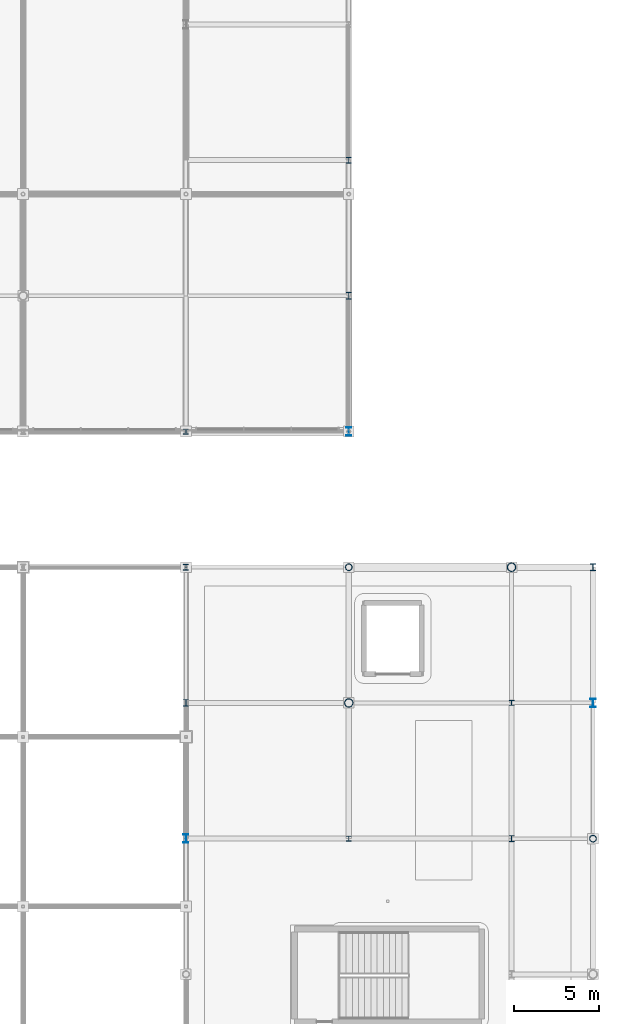
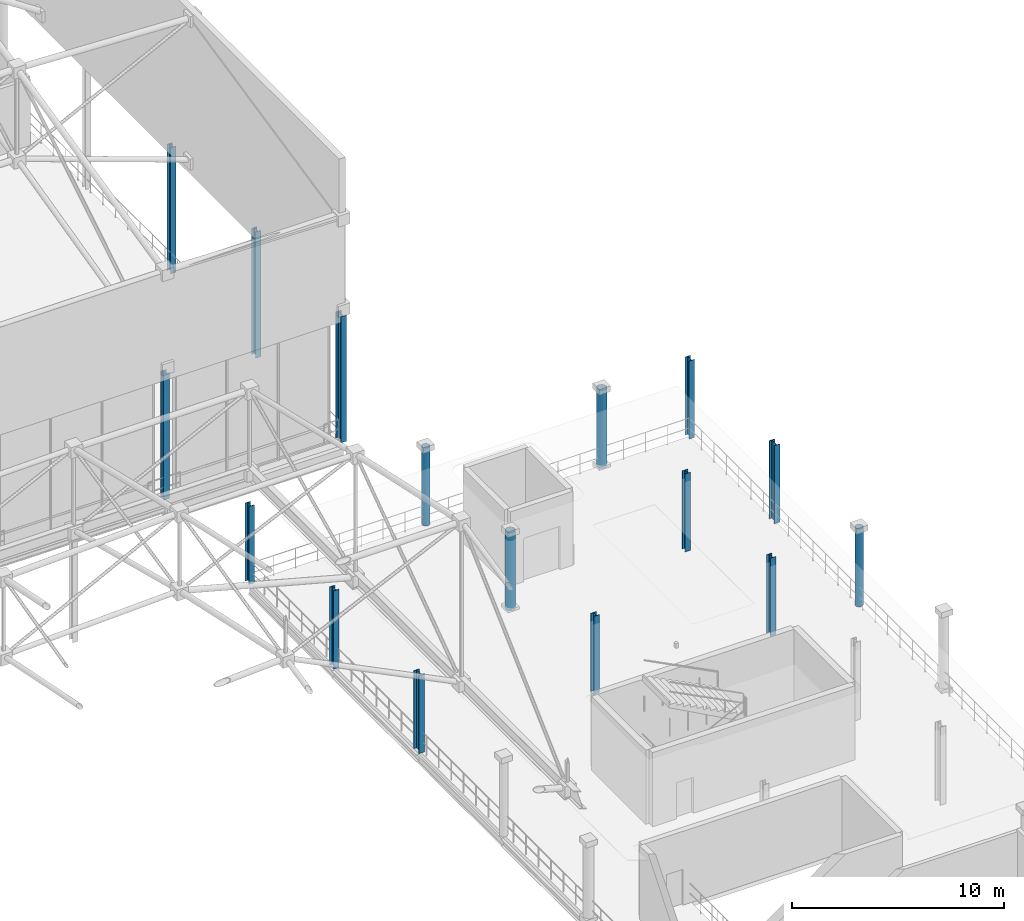
# One storey, part 19 of 193: 16 columns.
"""IFC4 building model written with IfcOpenShell, lengths in metres."""

from ifc_helpers import new_model, si_unit, direction, frame, origin, origin_2d, place, context, subcontext, project, spatial, hollow_circle, i_section, extrude, material, material_profile, profile_set, type_object, element, save


model = new_model("IFC4")

# Units and contexts
model_context = context("Model", 3, precision=1e-05, world=origin(), true_north=direction((0.0, 1.0)))
body_context = subcontext(model_context, "Body", "Model", "MODEL_VIEW")
ifc_project = project(units=[si_unit("LENGTHUNIT", "METRE"), si_unit("AREAUNIT", "SQUARE_METRE"), si_unit("VOLUMEUNIT", "CUBIC_METRE"), si_unit("PLANEANGLEUNIT", "RADIAN"), si_unit("MASSUNIT", "GRAM", prefix="KILO")], contexts=[model_context])

# Site, building, storey
site_placement = place(None, origin())
site = spatial("IfcSite", under=ifc_project, at=site_placement, CompositionType="ELEMENT")
building_placement = place(site_placement, origin())
building = spatial("IfcBuilding", under=site, at=building_placement, Name="Danafjord Basin Convention Centre", CompositionType="ELEMENT")
storey_placement = place(building_placement, frame((0.0, 0.0, 11.39990234375)))
storey = spatial("IfcBuildingStorey", under=building, at=storey_placement, Name="L02", CompositionType="ELEMENT", Elevation=11.39990234375)

# Columns
ifc_material = material(Name="Steel S355", Category="steel")
ifc_material_profile_1 = material_profile(ifc_material, hollow_circle(Radius=0.203125, WallThickness=0.02001953125, at=origin_2d()), Name="CHS 406.4x20.0")
ifc_profile_set_1 = profile_set([ifc_material_profile_1], Name="Steel S355")
column_type_1 = type_object("IfcColumnType", Name="COL-C-CHS406", PredefinedType="COLUMN", material=ifc_profile_set_1)
for number, where, z_axis, x_axis, name in (
    (1, (201.60009765625, 80.0, 0.0), (0.0, 0.0, 1.0), (1.0, 0.0, 0.0), "L02 column C-CHS406 at (201.6, 80.0)"),
    (2, (216.0, 64.0, 0.0), (0.0, 0.0, 1.0), (1.0, 0.0, 0.0), "L02 column C-CHS406 at (216.0, 64.0)"),
):
    element("IfcColumn", number, at=place(storey_placement, frame(where, z_axis=z_axis, x_axis=x_axis)), inside=storey, type_object=column_type_1, Name=name, PredefinedType="COLUMN", context=body_context, shape_type="SweptSolid", body=[
        extrude(hollow_circle(Radius=0.203125, WallThickness=0.02001953125, at=origin_2d()), origin(), (0.0, 0.0, 1.0), 4.5),
    ])
ifc_material_profile_2 = material_profile(ifc_material, hollow_circle(Radius=0.25390625, WallThickness=0.02490234375, at=origin_2d()), Name="CHS 508.0x25.0")
ifc_profile_set_2 = profile_set([ifc_material_profile_2], Name="Steel S355")
column_type_2 = type_object("IfcColumnType", Name="COL-C-CHS508", PredefinedType="COLUMN", material=ifc_profile_set_2)
for number, where, z_axis, x_axis, name in (
    (3, (201.60009765625, 72.0, 0.0), (0.0, 0.0, 1.0), (1.0, 0.0, 0.0), "L02 column C-CHS508 at (201.6, 72.0)"),
    (4, (211.199951171875, 80.0, 0.0), (0.0, 0.0, 1.0), (1.0, 0.0, 0.0), "L02 column C-CHS508 at (211.2, 80.0)"),
):
    element("IfcColumn", number, at=place(storey_placement, frame(where, z_axis=z_axis, x_axis=x_axis)), inside=storey, type_object=column_type_2, Name=name, PredefinedType="COLUMN", context=body_context, shape_type="SweptSolid", body=[
        extrude(hollow_circle(Radius=0.25390625, WallThickness=0.02490234375, at=origin_2d()), origin(), (0.0, 0.0, 1.0), 4.5),
    ])
ifc_material_profile_3 = material_profile(ifc_material, i_section(OverallWidth=0.300048828125, OverallDepth=0.300048828125, WebThickness=0.010986328125, FlangeThickness=0.01904296875, FilletRadius=0.027099609375, at=origin_2d()), Name="HEB 300")
ifc_profile_set_3 = profile_set([ifc_material_profile_3], Name="Steel S355")
column_type_3 = type_object("IfcColumnType", Name="COL-C-HEB300", PredefinedType="COLUMN", material=ifc_profile_set_3)
column_1_placement = place(storey_placement, frame((192.0, 88.0, 0.0), z_axis=(0.0, 0.0, 1.0), x_axis=(1.0, 0.0, 0.0)))
element("IfcColumn", 5, at=column_1_placement, inside=storey, type_object=column_type_3, Name="L02 column C-HEB300 at (192.0, 88.0)", PredefinedType="COLUMN", context=body_context, shape_type="SweptSolid", body=[
    extrude(i_section(OverallWidth=0.300048828125, OverallDepth=0.300048828125, WebThickness=0.010986328125, FlangeThickness=0.01904296875, FilletRadius=0.027099609375, at=origin_2d()), origin(), (0.0, 0.0, 1.0), 7.27001953125),
])
for number, where, z_axis, x_axis, name in (
    (6, (201.60009765625, 64.0, 0.0), (0.0, 0.0, 1.0), (1.0, 0.0, 0.0), "L02 column C-HEB300 at (201.6, 64.0)"),
    (7, (211.199951171875, 72.0, 0.0), (0.0, 0.0, 1.0), (1.0, 0.0, 0.0), "L02 column C-HEB300 at (211.2, 72.0)"),
):
    element("IfcColumn", number, at=place(storey_placement, frame(where, z_axis=z_axis, x_axis=x_axis)), inside=storey, type_object=column_type_3, Name=name, PredefinedType="COLUMN", context=body_context, shape_type="SweptSolid", body=[
        extrude(i_section(OverallWidth=0.300048828125, OverallDepth=0.300048828125, WebThickness=0.010986328125, FlangeThickness=0.01904296875, FilletRadius=0.027099609375, at=origin_2d()), origin(), (0.0, 0.0, 1.0), 4.5),
    ])
ifc_material_profile_4 = material_profile(ifc_material, i_section(OverallWidth=0.300048828125, OverallDepth=0.360107421875, WebThickness=0.012451171875, FlangeThickness=0.0224609375, FilletRadius=0.027099609375, at=origin_2d()), Name="HEB 360")
ifc_profile_set_4 = profile_set([ifc_material_profile_4], Name="Steel S355")
column_type_4 = type_object("IfcColumnType", Name="COL-C-HEB360", PredefinedType="COLUMN", material=ifc_profile_set_4)
column_2_placement = place(storey_placement, frame((192.0, 80.0, 0.0), z_axis=(0.0, 0.0, 1.0), x_axis=(1.0, 0.0, 0.0)))
element("IfcColumn", 8, at=column_2_placement, inside=storey, type_object=column_type_4, Name="L02 column C-HEB360 at (192.0, 80.0)", PredefinedType="COLUMN", context=body_context, shape_type="SweptSolid", body=[
    extrude(i_section(OverallWidth=0.300048828125, OverallDepth=0.360107421875, WebThickness=0.012451171875, FlangeThickness=0.0224609375, FilletRadius=0.027099609375, at=origin_2d()), origin(), (0.0, 0.0, 1.0), 4.5),
])
column_3_placement = place(storey_placement, frame((201.60009765625, 104.0, 0.0), z_axis=(0.0, 0.0, 1.0), x_axis=(1.0, 0.0, 0.0)))
element("IfcColumn", 9, at=column_3_placement, inside=storey, type_object=column_type_4, Name="L02 column C-HEB360 at (201.6, 104.0)", PredefinedType="COLUMN", context=body_context, shape_type="SweptSolid", body=[
    extrude(i_section(OverallWidth=0.300048828125, OverallDepth=0.360107421875, WebThickness=0.012451171875, FlangeThickness=0.0224609375, FilletRadius=0.027099609375, at=origin_2d()), origin(), (0.0, 0.0, 1.0), 7.27001953125),
])
column_4_placement = place(storey_placement, frame((211.199951171875, 64.0, 0.0), z_axis=(0.0, 0.0, 1.0), x_axis=(1.0, 0.0, 0.0)))
element("IfcColumn", 10, at=column_4_placement, inside=storey, type_object=column_type_4, Name="L02 column C-HEB360 at (211.2, 64.0)", PredefinedType="COLUMN", context=body_context, shape_type="SweptSolid", body=[
    extrude(i_section(OverallWidth=0.300048828125, OverallDepth=0.360107421875, WebThickness=0.012451171875, FlangeThickness=0.0224609375, FilletRadius=0.027099609375, at=origin_2d()), origin(), (0.0, 0.0, 1.0), 4.5),
])
ifc_material_profile_5 = material_profile(ifc_material, i_section(OverallWidth=0.300048828125, OverallDepth=0.39990234375, WebThickness=0.013427734375, FlangeThickness=0.02392578125, FilletRadius=0.027099609375, at=origin_2d()), Name="HEB 400")
ifc_profile_set_5 = profile_set([ifc_material_profile_5], Name="Steel S355")
column_type_5 = type_object("IfcColumnType", Name="COL-C-HEB400", PredefinedType="COLUMN", material=ifc_profile_set_5)
column_5_placement = place(storey_placement, frame((192.0, 72.0, 0.0), z_axis=(0.0, 0.0, 1.0), x_axis=(1.0, 0.0, 0.0)))
element("IfcColumn", 11, at=column_5_placement, inside=storey, type_object=column_type_5, Name="L02 column C-HEB400 at (192.0, 72.0)", PredefinedType="COLUMN", context=body_context, shape_type="SweptSolid", body=[
    extrude(i_section(OverallWidth=0.300048828125, OverallDepth=0.39990234375, WebThickness=0.013427734375, FlangeThickness=0.02392578125, FilletRadius=0.027099609375, at=origin_2d()), origin(), (0.0, 0.0, 1.0), 4.5),
])
column_6_placement = place(storey_placement, frame((201.60009765625, 96.0, 0.0), z_axis=(0.0, 0.0, 1.0), x_axis=(1.0, 0.0, 0.0)))
element("IfcColumn", 12, at=column_6_placement, inside=storey, type_object=column_type_5, Name="L02 column C-HEB400 at (201.6, 96.0)", PredefinedType="COLUMN", context=body_context, shape_type="SweptSolid", body=[
    extrude(i_section(OverallWidth=0.300048828125, OverallDepth=0.39990234375, WebThickness=0.013427734375, FlangeThickness=0.02392578125, FilletRadius=0.027099609375, at=origin_2d()), origin(), (0.0, 0.0, 1.0), 7.27001953125),
])
column_7_placement = place(storey_placement, frame((216.0, 80.0, 0.0), z_axis=(0.0, 0.0, 1.0), x_axis=(1.0, 0.0, 0.0)))
element("IfcColumn", 13, at=column_7_placement, inside=storey, type_object=column_type_5, Name="L02 column C-HEB400 at (216.0, 80.0)", PredefinedType="COLUMN", context=body_context, shape_type="SweptSolid", body=[
    extrude(i_section(OverallWidth=0.300048828125, OverallDepth=0.39990234375, WebThickness=0.013427734375, FlangeThickness=0.02392578125, FilletRadius=0.027099609375, at=origin_2d()), origin(), (0.0, 0.0, 1.0), 4.5),
])
ifc_material_profile_6 = material_profile(ifc_material, i_section(OverallWidth=0.300048828125, OverallDepth=0.5, WebThickness=0.014404296875, FlangeThickness=0.028076171875, FilletRadius=0.027099609375, at=origin_2d()), Name="HEB 500")
ifc_profile_set_6 = profile_set([ifc_material_profile_6], Name="Steel S355")
column_type_6 = type_object("IfcColumnType", Name="COL-C-HEB500", PredefinedType="COLUMN", material=ifc_profile_set_6)
column_8_placement = place(storey_placement, frame((192.0, 64.0, 0.0), z_axis=(0.0, 0.0, 1.0), x_axis=(1.0, 0.0, 0.0)))
element("IfcColumn", 14, at=column_8_placement, inside=storey, type_object=column_type_6, Name="L02 column C-HEB500 at (192.0, 64.0)", PredefinedType="COLUMN", context=body_context, shape_type="SweptSolid", body=[
    extrude(i_section(OverallWidth=0.300048828125, OverallDepth=0.5, WebThickness=0.014404296875, FlangeThickness=0.028076171875, FilletRadius=0.027099609375, at=origin_2d()), origin(), (0.0, 0.0, 1.0), 4.5),
])
column_9_placement = place(storey_placement, frame((201.60009765625, 88.0, 0.0), z_axis=(0.0, 0.0, 1.0), x_axis=(1.0, 0.0, 0.0)))
element("IfcColumn", 15, at=column_9_placement, inside=storey, type_object=column_type_6, Name="L02 column C-HEB500 at (201.6, 88.0)", PredefinedType="COLUMN", context=body_context, shape_type="SweptSolid", body=[
    extrude(i_section(OverallWidth=0.300048828125, OverallDepth=0.5, WebThickness=0.014404296875, FlangeThickness=0.028076171875, FilletRadius=0.027099609375, at=origin_2d()), origin(), (0.0, 0.0, 1.0), 7.27001953125),
])
column_10_placement = place(storey_placement, frame((216.0, 72.0, 0.0), z_axis=(0.0, 0.0, 1.0), x_axis=(1.0, 0.0, 0.0)))
element("IfcColumn", 16, at=column_10_placement, inside=storey, type_object=column_type_6, Name="L02 column C-HEB500 at (216.0, 72.0)", PredefinedType="COLUMN", context=body_context, shape_type="SweptSolid", body=[
    extrude(i_section(OverallWidth=0.300048828125, OverallDepth=0.5, WebThickness=0.014404296875, FlangeThickness=0.028076171875, FilletRadius=0.027099609375, at=origin_2d()), origin(), (0.0, 0.0, 1.0), 4.5),
])

save(model, "model.ifc")
